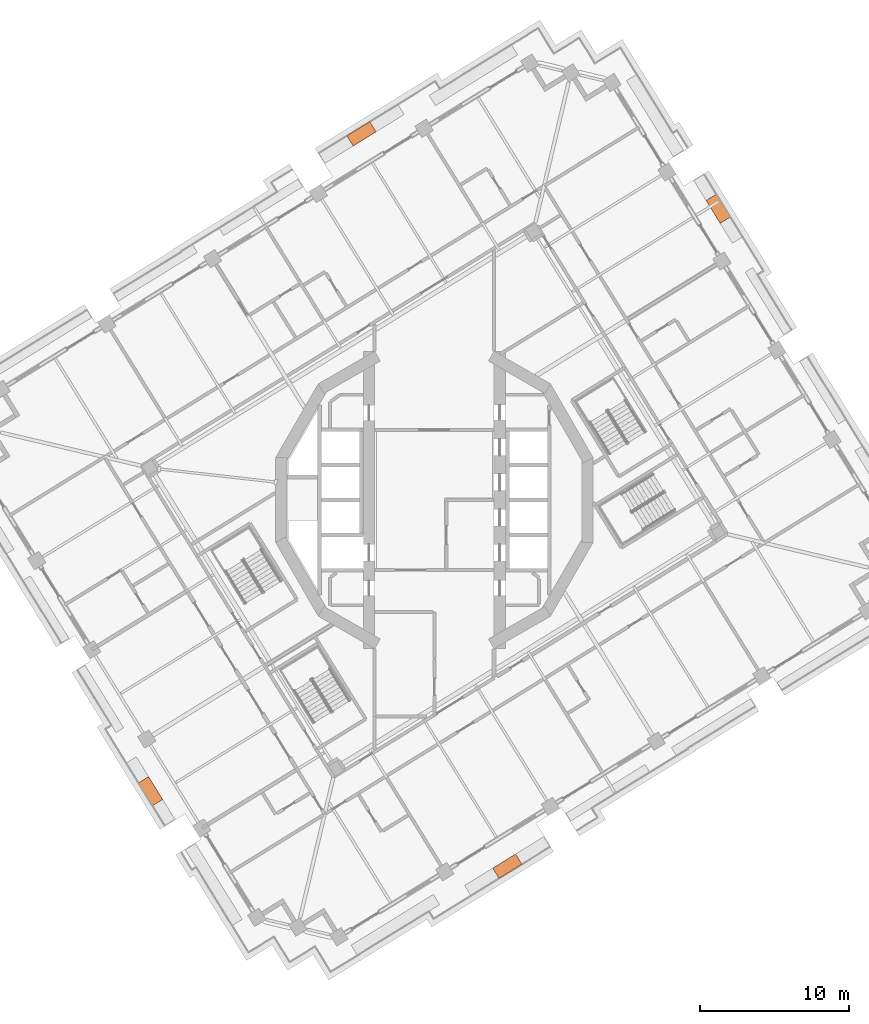
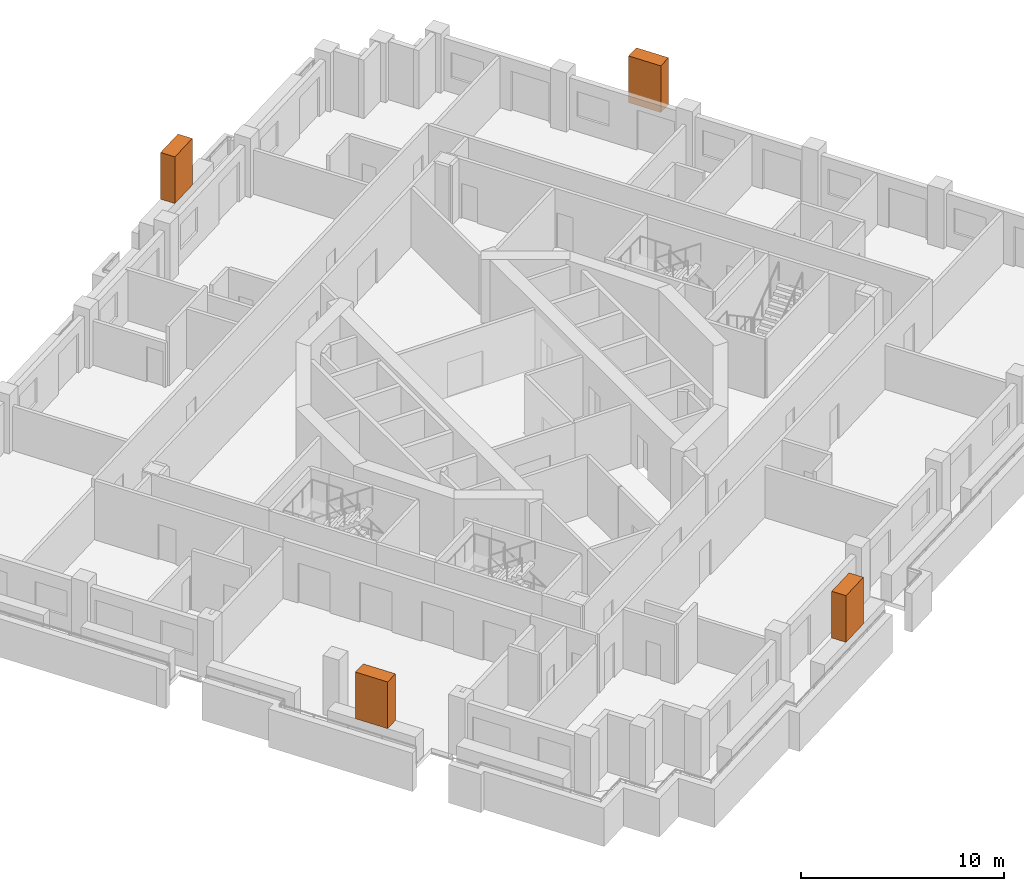
# One storey, part 20 of 20: 4 proxies.
"""IFC4 building model written with IfcOpenShell, lengths in metres."""

from ifc_helpers import new_model, si_unit, direction, frame, origin, origin_2d, place, context, subcontext, project, spatial, rectangle, extrude, element, save


model = new_model("IFC4")

# Units and contexts
model_context = context("Model", 3, precision=1e-05, world=origin(), true_north=direction((0.0, 1.0)))
body_context = subcontext(model_context, "Body", "Model", "MODEL_VIEW")
ifc_project = project(units=[si_unit("LENGTHUNIT", "METRE"), si_unit("AREAUNIT", "SQUARE_METRE"), si_unit("VOLUMEUNIT", "CUBIC_METRE"), si_unit("PLANEANGLEUNIT", "RADIAN"), si_unit("MASSUNIT", "GRAM", prefix="KILO")], contexts=[model_context])

# Site, building, storey
site_placement = place(None, origin())
site = spatial("IfcSite", under=ifc_project, at=site_placement, CompositionType="ELEMENT")
building_placement = place(site_placement, origin())
building = spatial("IfcBuilding", under=site, at=building_placement, Name="Cantera Rosa Tower", CompositionType="ELEMENT")
storey_placement = place(building_placement, frame((0.0, 0.0, 159.0)))
storey = spatial("IfcBuildingStorey", under=building, at=storey_placement, Name="L34", CompositionType="ELEMENT", Elevation=159.0)

# Proxies
for number, where, z_axis, x_axis, name in (
    (1, (19.012451171875, 19.505126953125, 1.60009765625), (0.0, 0.0, 1.0), (-0.52497658034, 0.851116672434, 0.0), "TREE L34-04"),
    (2, (-4.884033203125, 24.528564453125, 1.60009765625), (0.0, 0.0, 1.0), (-0.851116672434, -0.52497658034, 0.0), "TREE L34-07"),
    (3, (-19.012451171875, -19.505126953125, 1.60009765625), (0.0, 0.0, 1.0), (0.52497658034, -0.851116672434, 0.0), "TREE L34-14"),
    (4, (4.884033203125, -24.528564453125, 1.60009765625), (0.0, 0.0, 1.0), (0.851116672434, 0.52497658034, 0.0), "TREE L34-17"),
):
    element("IfcBuildingElementProxy", number, at=place(storey_placement, frame(where, z_axis=z_axis, x_axis=x_axis)), inside=storey, Name=name, ObjectType="TREE", PredefinedType="USERDEFINED", context=body_context, shape_type="SweptSolid", body=[
        extrude(rectangle(XDim=1.800048828125, YDim=0.800048828125, at=origin_2d()), origin(), (0.0, 0.0, 1.0), 2.800048828125),
    ])

save(model, "model.ifc")
